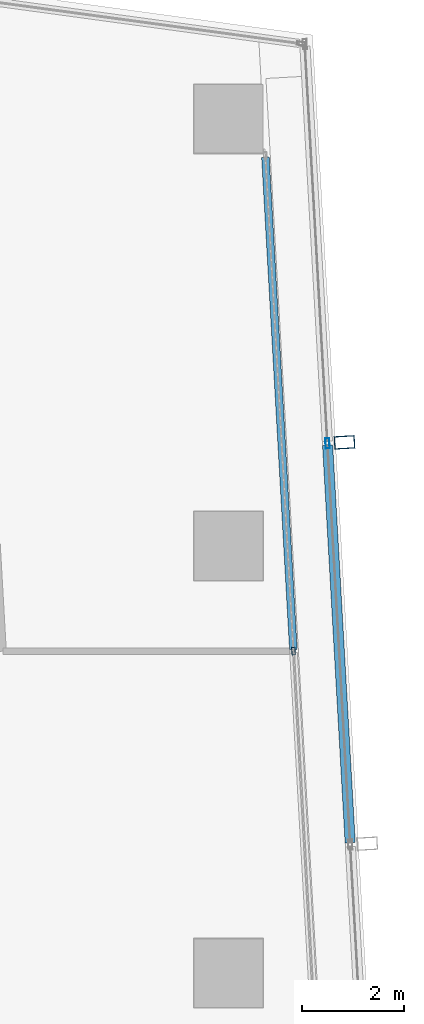
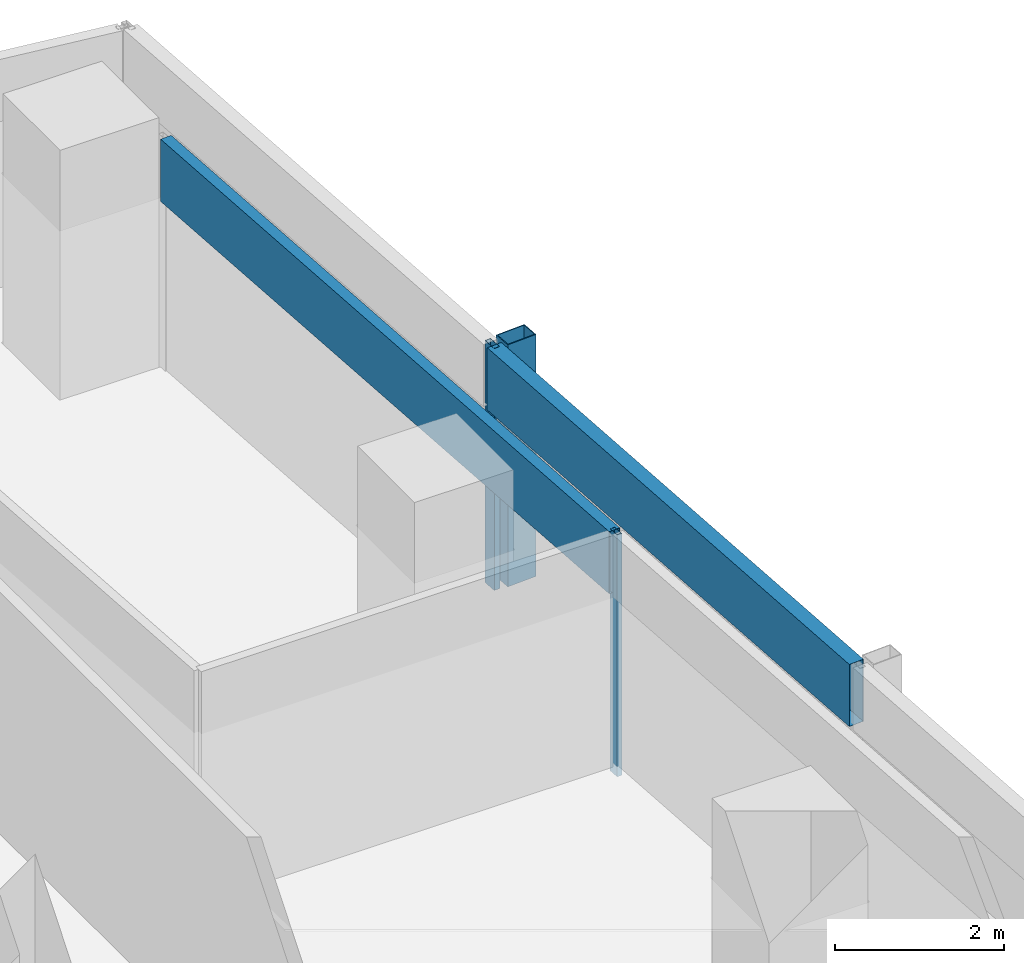
# One storey, part 23 of 40: 5 members, 2 elements without a shape of their own.
"""IFC4 building model written with IfcOpenShell, lengths in metres."""

from ifc_helpers import new_model, si_unit, direction, frame, origin, origin_2d, place, context, subcontext, project, spatial, hollow_rectangle, extrude, material, material_profile, profile_set, type_object, element, aggregate, save


model = new_model("IFC4")

# Units and contexts
model_context = context("Model", 3, precision=1e-05, world=origin(), true_north=direction((0.0, 1.0)))
body_context = subcontext(model_context, "Body", "Model", "MODEL_VIEW")
ifc_project = project(units=[si_unit("LENGTHUNIT", "METRE"), si_unit("AREAUNIT", "SQUARE_METRE"), si_unit("VOLUMEUNIT", "CUBIC_METRE"), si_unit("PLANEANGLEUNIT", "RADIAN"), si_unit("MASSUNIT", "GRAM", prefix="KILO")], contexts=[model_context])

# Site, building, storey
site_placement = place(None, origin())
site = spatial("IfcSite", under=ifc_project, at=site_placement, CompositionType="ELEMENT")
building_placement = place(site_placement, origin())
building = spatial("IfcBuilding", under=site, at=building_placement, Name="Rekha Terrace Tower", CompositionType="ELEMENT")
storey_placement = place(building_placement, frame((0.0, 0.0, 213.949951171875)))
storey = spatial("IfcBuildingStorey", under=building, at=storey_placement, Name="L54", CompositionType="ELEMENT", Elevation=213.949951171875)

# Curtain wall, member
ifc_material_1 = material(Name="Aluminium framing", Category="aluminium")
curtain_wall_type_1 = type_object("IfcCurtainWallType", Name="CW2 double skin outer glazing", PredefinedType="USERDEFINED", material=ifc_material_1)
curtain_wall_1_placement = place(storey_placement, origin())
curtain_wall_1 = element("IfcCurtainWall", 1, at=curtain_wall_1_placement, inside=storey, type_object=curtain_wall_type_1, Name="CW2 double skin outer glazing", ObjectType="DOUBLE SKIN OUTER GLAZING", PredefinedType="USERDEFINED")
ifc_material_2 = material(Name="Steel S355 with fluorocarbon finish", Category="steel")
ifc_material_profile_1 = material_profile(ifc_material_2, hollow_rectangle(XDim=0.25, YDim=0.39990234375, WallThickness=0.012451171875, at=origin_2d()), Name="RHS400x250x12.5")
ifc_profile_set_1 = profile_set([ifc_material_profile_1], Name="Steel S355 with fluorocarbon finish")
member_type_1 = type_object("IfcMemberType", Name="BL1 facade blade RHS 400 x 250", PredefinedType="USERDEFINED", material=ifc_profile_set_1)
member_1_placement = place(storey_placement, frame((61.080078125, 52.4375, 0.0), z_axis=(0.0, 0.0, 1.0), x_axis=(-0.056673619809, 0.998392758797, 0.0)))
member_1 = element("IfcMember", 2, at=member_1_placement, type_object=member_type_1, Name="Facade blade", ObjectType="FACADE BLADE", PredefinedType="USERDEFINED", context=body_context, shape_type="SweptSolid", body=[
    extrude(hollow_rectangle(XDim=0.25, YDim=0.39990234375, WallThickness=0.012451171875, at=origin_2d()), origin(), (0.0, 0.0, 1.0), 3.5),
])

# Curtain wall, members
curtain_wall_type_2 = type_object("IfcCurtainWallType", Name="CW1 double skin inner glazing", PredefinedType="USERDEFINED", material=ifc_material_1)
curtain_wall_2_placement = place(storey_placement, origin())
curtain_wall_2 = element("IfcCurtainWall", 3, at=curtain_wall_2_placement, inside=storey, type_object=curtain_wall_type_2, Name="CW1 double skin inner glazing", ObjectType="DOUBLE SKIN INNER GLAZING", PredefinedType="USERDEFINED")
ifc_material_3 = material(Name="Aluminium mullion section", Category="aluminium")
ifc_material_profile_2 = material_profile(ifc_material_3, hollow_rectangle(XDim=0.06494140625, YDim=0.14990234375, WallThickness=0.00390625, at=origin_2d()), Name="AL RHS 65x150")
ifc_profile_set_2 = profile_set([ifc_material_profile_2], Name="Aluminium mullion section")
member_type_2 = type_object("IfcMemberType", Name="CW1 mullion RHS 65 x 150", PredefinedType="MULLION", material=ifc_profile_set_2)
member_2_placement = place(storey_placement, frame((60.076171875, 48.331787109375, 0.0), z_axis=(0.0, 0.0, 1.0), x_axis=(-0.998392782919, -0.05667319486, 0.0)))
member_2 = element("IfcMember", 4, at=member_2_placement, type_object=member_type_2, Name="CW1 mullion 3", PredefinedType="MULLION", context=body_context, shape_type="SweptSolid", body=[
    extrude(hollow_rectangle(XDim=0.06494140625, YDim=0.14990234375, WallThickness=0.00390625, at=origin_2d()), origin(), (0.0, 0.0, 1.0), 3.5),
])
ifc_material_4 = material(Name="Insulated aluminium spandrel box", Category="aluminium")
ifc_material_profile_3 = material_profile(ifc_material_4, hollow_rectangle(XDim=0.14990234375, YDim=0.89990234375, WallThickness=0.0029296875, at=origin_2d()), Name="AL SPANDREL BOX 150x900")
ifc_profile_set_3 = profile_set([ifc_material_profile_3], Name="Insulated aluminium spandrel box")
member_type_3 = type_object("IfcMemberType", Name="CW1 spandrel transom 150 x 900", PredefinedType="USERDEFINED", material=ifc_profile_set_3)
member_3_placement = place(storey_placement, frame((60.07421875, 48.3642578125, 3.050048828125), z_axis=(-0.056665357377, 0.998393227778, 0.0), x_axis=(-0.998393227778, -0.056665357377, 0.0)))
member_3 = element("IfcMember", 5, at=member_3_placement, type_object=member_type_3, Name="CW1 spandrel transom 3", ObjectType="TRANSOM", PredefinedType="USERDEFINED", context=body_context, shape_type="SweptSolid", body=[
    extrude(hollow_rectangle(XDim=0.14990234375, YDim=0.89990234375, WallThickness=0.0029296875, at=origin_2d()), origin(), (0.0, 0.0, 1.0), 9.694091796875),
])
aggregate(curtain_wall_2, [member_2, member_3])

# Member
ifc_material_profile_4 = material_profile(ifc_material_3, hollow_rectangle(XDim=0.080078125, YDim=0.199951171875, WallThickness=0.00390625, at=origin_2d()), Name="AL RHS 80x200")
ifc_profile_set_4 = profile_set([ifc_material_profile_4], Name="Aluminium mullion section")
member_type_4 = type_object("IfcMemberType", Name="CW2 mullion RHS 80 x 200", PredefinedType="MULLION", material=ifc_profile_set_4)
member_4_placement = place(storey_placement, frame((60.74560546875, 52.41845703125, 0.0), z_axis=(0.0, 0.0, 1.0), x_axis=(-0.998392782919, -0.05667319486, 0.0)))
member_4 = element("IfcMember", 6, at=member_4_placement, type_object=member_type_4, Name="CW2 mullion 4", PredefinedType="MULLION", context=body_context, shape_type="SweptSolid", body=[
    extrude(hollow_rectangle(XDim=0.080078125, YDim=0.199951171875, WallThickness=0.00390625, at=origin_2d()), origin(), (0.0, 0.0, 1.0), 3.5),
])

ifc_material_profile_5 = material_profile(ifc_material_4, hollow_rectangle(XDim=0.199951171875, YDim=0.89990234375, WallThickness=0.0029296875, at=origin_2d()), Name="AL SPANDREL BOX 200x900")
ifc_profile_set_5 = profile_set([ifc_material_profile_5], Name="Insulated aluminium spandrel box")
member_type_5 = type_object("IfcMemberType", Name="CW2 spandrel transom 200 x 900", PredefinedType="USERDEFINED", material=ifc_profile_set_5)
member_5_placement = place(storey_placement, frame((61.19140625, 44.567626953125, 3.050048828125), z_axis=(-0.056702299999, 0.998391130357, 0.0), x_axis=(-0.998391130357, -0.056702299999, 0.0)))
member_5 = element("IfcMember", 7, at=member_5_placement, type_object=member_type_5, Name="CW2 spandrel transom 3", ObjectType="TRANSOM", PredefinedType="USERDEFINED", context=body_context, shape_type="SweptSolid", body=[
    extrude(hollow_rectangle(XDim=0.199951171875, YDim=0.89990234375, WallThickness=0.0029296875, at=origin_2d()), origin(), (0.0, 0.0, 1.0), 7.823486328125),
])

aggregate(curtain_wall_1, [member_4, member_5, member_1])

save(model, "model.ifc")
